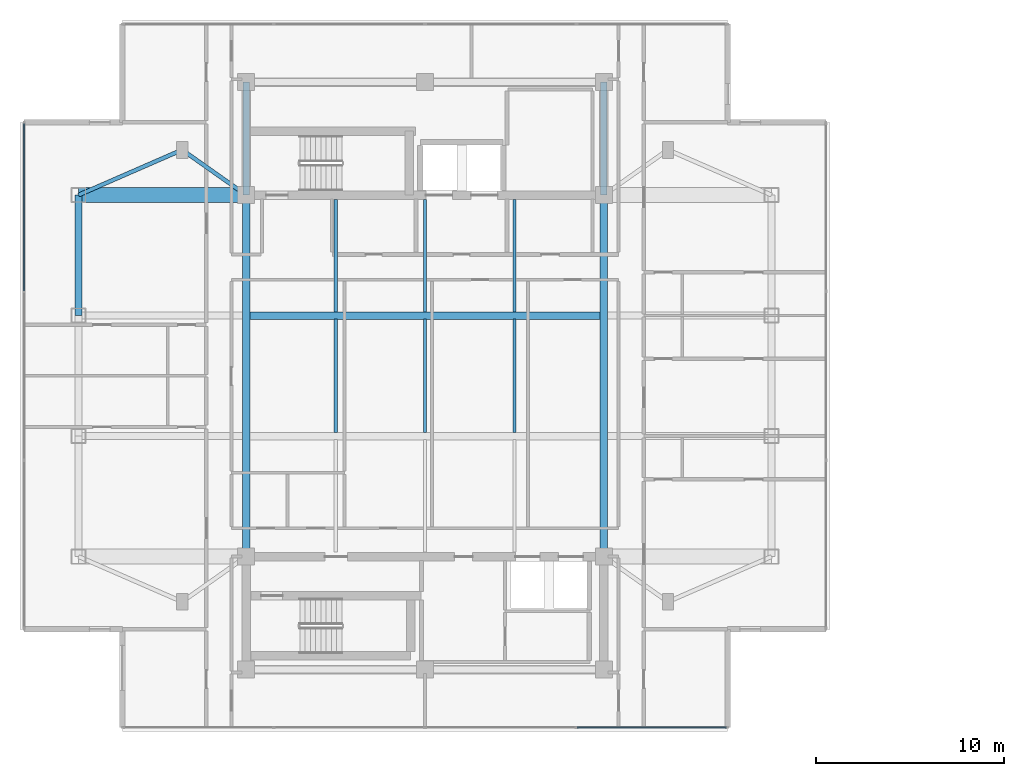
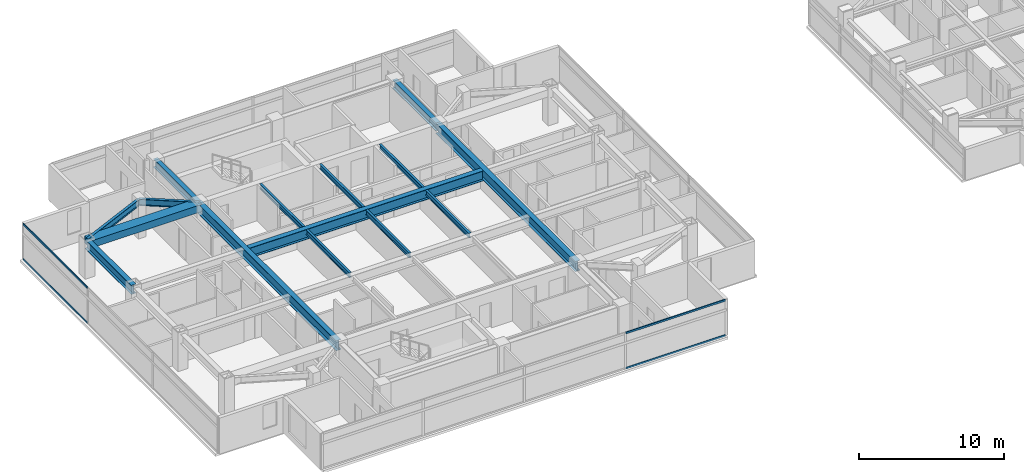
# One storey, part 3 of 21: 15 beams, 4 members, 2 elements without a shape of their own.
"""IFC4 building model written with IfcOpenShell, lengths in metres."""

import ifcopenshell
import ifcopenshell.guid

model = None  # the IFC model being written
_history = None  # IfcOwnerHistory: only IFC2X3 demands one
_inside = {}  # id of a spatial element -> (the spatial element, [elements in it])
_under = {}  # id of a project, library or spatial element -> (it, [spatial elements below it])
_declared = {}  # id of a project -> (the project, [libraries it declares])
_typed = {}  # id of a type object -> (the type object, [elements of that type])
_made_of = {}  # id of a material, layer set ... -> (it, [elements and type objects made of it])


def new_model(schema):
    """Start an empty IFC model of exactly this schema.

    Asked for "IFC4X3", IfcOpenShell would pick the latest addendum, in which some entities
    have other attributes; the version numbers below select the first issue.
    IFC2X3 requires an IfcOwnerHistory on every rooted entity: one is made here for all.
    """
    global model, _history
    if schema == "IFC4X3":
        model = ifcopenshell.file(schema_version=(4, 3, 0, 0))
    else:
        model = ifcopenshell.file(schema=schema)
    _inside.clear()
    _under.clear()
    _declared.clear()
    _typed.clear()
    _made_of.clear()
    _history = None
    if model.schema == "IFC2X3":
        org = make("IfcOrganization", Name="unknown")
        user = make(
            "IfcPersonAndOrganization",
            ThePerson=make("IfcPerson", FamilyName="unknown"),
            TheOrganization=org,
        )
        app = make(
            "IfcApplication",
            ApplicationDeveloper=org,
            Version="unknown",
            ApplicationFullName="unknown",
            ApplicationIdentifier="unknown",
        )
        _history = make(
            "IfcOwnerHistory",
            OwningUser=user,
            OwningApplication=app,
            ChangeAction="ADDED",
            CreationDate=0,
        )
    return model


def make(cls, **values):
    """One entity of the class cls with the attributes given. An attribute that is None is left unset."""
    return model.create_entity(
        cls, **{name: value for name, value in values.items() if value is not None}
    )


def rooted(cls, **values):
    """An entity with a GlobalId (a new one), such as an element, a storey or a relation."""
    return make(cls, GlobalId=ifcopenshell.guid.new(), OwnerHistory=_history, **values)


def si_unit(unit_type, name, prefix=None):
    """IfcSIUnit, for example si_unit("LENGTHUNIT", "METRE", prefix="MILLI")."""
    return make("IfcSIUnit", UnitType=unit_type, Prefix=prefix, Name=name)


def assignment(units):
    """IfcUnitAssignment: the units of a project."""
    return None if units is None else make("IfcUnitAssignment", Units=units)


def point(xyz):
    """IfcCartesianPoint."""
    return None if xyz is None else make("IfcCartesianPoint", Coordinates=xyz)


def direction(xyz):
    """IfcDirection."""
    return None if xyz is None else make("IfcDirection", DirectionRatios=xyz)


def frame(location, z_axis=None, x_axis=None):
    """IfcAxis2Placement3D, a coordinate frame: its origin and axes. An axis left out is left unset."""
    return make(
        "IfcAxis2Placement3D",
        Location=point(location),
        Axis=direction(z_axis),
        RefDirection=direction(x_axis),
    )


def frame_2d(location, x_axis=None):
    """IfcAxis2Placement2D, a coordinate frame in the plane: its origin and x axis."""
    return make(
        "IfcAxis2Placement2D", Location=point(location), RefDirection=direction(x_axis)
    )


def origin():
    """The frame at (0, 0, 0) with its axes left unset."""
    return frame((0.0, 0.0, 0.0))


def origin_2d():
    """The frame at (0, 0) in the plane with its x axis left unset."""
    return frame_2d((0.0, 0.0))


def place(relative_to, where):
    """IfcLocalPlacement: puts the frame where relative to a parent placement (None: the world)."""
    return make(
        "IfcLocalPlacement", PlacementRelTo=relative_to, RelativePlacement=where
    )


def context(
    kind, dimensions, precision=None, world=None, true_north=None, identifier=None
):
    """IfcGeometricRepresentationContext, for example the 3D "Model" context."""
    return make(
        "IfcGeometricRepresentationContext",
        ContextIdentifier=identifier,
        ContextType=kind,
        CoordinateSpaceDimension=dimensions,
        Precision=precision,
        WorldCoordinateSystem=world,
        TrueNorth=true_north,
    )


def subcontext(parent, identifier, kind, view, scale=None):
    """IfcGeometricRepresentationSubContext, for example "Body" below "Model"."""
    return make(
        "IfcGeometricRepresentationSubContext",
        ContextIdentifier=identifier,
        ContextType=kind,
        ParentContext=parent,
        TargetScale=scale,
        TargetView=view,
    )


def project(units=None, contexts=None):
    """IfcProject with its units and contexts."""
    return rooted(
        "IfcProject",
        Name="project",
        RepresentationContexts=contexts,
        UnitsInContext=assignment(units),
    )


def spatial(cls, under=None, at=None, **own):
    """A site, building, storey or space (cls), placed at a placement, below another one or the project."""
    s = rooted(cls, ObjectPlacement=at, **own)
    if under is not None:
        _under.setdefault(under.id(), (under, []))[1].append(s)
    return s


def profile(cls, at=None, kind="AREA", **sizes):
    """A parametric profile (cls). Its sizes go by their IFC names, for example OverallWidth=200.0."""
    return make(cls, ProfileType=kind, Position=at, **sizes)


def rectangle(**sizes):
    """IfcRectangleProfileDef."""
    return profile("IfcRectangleProfileDef", **sizes)


def i_section(**sizes):
    """IfcIShapeProfileDef."""
    return profile("IfcIShapeProfileDef", **sizes)


def extrude(swept, where, along, depth):
    """IfcExtrudedAreaSolid: the profile swept, set in the frame where, extruded along a direction by depth."""
    return make(
        "IfcExtrudedAreaSolid",
        SweptArea=swept,
        Position=where,
        ExtrudedDirection=direction(along),
        Depth=depth,
    )


def shape(context_of_items, identifier, shape_type, items):
    """IfcShapeRepresentation: the items that make up one representation, for example the "Body"."""
    return make(
        "IfcShapeRepresentation",
        ContextOfItems=context_of_items,
        RepresentationIdentifier=identifier,
        RepresentationType=shape_type,
        Items=items,
    )


def material(Name=None, Category=None):
    """IfcMaterial."""
    return make("IfcMaterial", Name=Name, Category=Category)


def material_profile(
    of_material, cross_section, Name=None, Category=None, Priority=None
):
    """IfcMaterialProfile: a cross section and its material."""
    return make(
        "IfcMaterialProfile",
        Name=Name,
        Material=of_material,
        Profile=cross_section,
        Priority=Priority,
        Category=Category,
    )


def profile_set(profiles, Name=None, composite=None):
    """IfcMaterialProfileSet."""
    return make(
        "IfcMaterialProfileSet",
        Name=Name,
        MaterialProfiles=profiles,
        CompositeProfile=composite,
    )


def made_of(thing, what):
    """Note that an element or type object is made of a material, layer set ...; save() writes the relation."""
    if what is not None:
        _made_of.setdefault(what.id(), (what, []))[1].append(thing)
    return thing


def type_object(cls, material=None, **own):
    """A type object (cls), such as IfcWallType, which elements share."""
    return made_of(rooted(cls, **own), material)


def element(
    cls,
    number,
    at=None,
    inside=None,
    cuts=None,
    type_object=None,
    material=None,
    context=None,
    identifier="Body",
    shape_type=None,
    held_by="IfcProductDefinitionShape",
    body=None,
    shapes=None,
    **own,
):
    """One element of the class cls, such as IfcWall. Its Tag is "e" and its number.

    at: its placement. inside: the storey or other place that contains it. cuts: it is an
    opening in that element (IfcRelVoidsElement). A single representation is given by context,
    identifier, shape_type and body (its items); several are given by shapes. held_by: the class
    of the entity that holds the representations. save() writes the other relations.
    """
    e = rooted(cls, Tag="e%d" % number, ObjectPlacement=at, **own)
    if body is not None:
        shapes = [shape(context, identifier, shape_type, body)]
    if shapes is not None:
        e.Representation = make(held_by, Representations=shapes)
    if inside is not None:
        _inside.setdefault(inside.id(), (inside, []))[1].append(e)
    if cuts is not None:
        rooted(
            "IfcRelVoidsElement", RelatingBuildingElement=cuts, RelatedOpeningElement=e
        )
    if type_object is not None:
        _typed.setdefault(type_object.id(), (type_object, []))[1].append(e)
    return made_of(e, material)


def aggregate(whole, parts):
    """IfcRelAggregates: a whole, such as a stair, and the parts it consists of."""
    return rooted("IfcRelAggregates", RelatingObject=whole, RelatedObjects=parts)


def save(model, path):
    """Write the relations noted so far, then the file.

    IfcRelAggregates (storeys below a building ...), IfcRelContainedInSpatialStructure (elements
    in a storey), IfcRelDefinesByType, IfcRelAssociatesMaterial and IfcRelDeclares: one each for
    every whole, place, type object, material and project.
    """
    for whole, parts in _under.values():
        aggregate(whole, parts)
    for where, things in _inside.values():
        rooted(
            "IfcRelContainedInSpatialStructure",
            RelatedElements=things,
            RelatingStructure=where,
        )
    for kind, things in _typed.values():
        rooted("IfcRelDefinesByType", RelatedObjects=things, RelatingType=kind)
    for what, things in _made_of.values():
        rooted("IfcRelAssociatesMaterial", RelatedObjects=things, RelatingMaterial=what)
    for by, libraries in _declared.values():
        rooted("IfcRelDeclares", RelatingContext=by, RelatedDefinitions=libraries)
    model.write(path)


model = new_model("IFC4")

# Units and contexts
model_context = context("Model", 3, precision=1e-05, world=origin(), true_north=direction((0.0, 1.0)))
body_context = subcontext(model_context, "Body", "Model", "MODEL_VIEW")
ifc_project = project(units=[si_unit("LENGTHUNIT", "METRE"), si_unit("AREAUNIT", "SQUARE_METRE"), si_unit("VOLUMEUNIT", "CUBIC_METRE"), si_unit("PLANEANGLEUNIT", "RADIAN"), si_unit("MASSUNIT", "GRAM", prefix="KILO")], contexts=[model_context])

# Site, building, storey
site_placement = place(None, origin())
site = spatial("IfcSite", under=ifc_project, at=site_placement, CompositionType="ELEMENT")
building_placement = place(site_placement, origin())
building = spatial("IfcBuilding", under=site, at=building_placement, Name="Mirazonda Arch Towers", CompositionType="ELEMENT")
storey_placement = place(building_placement, frame((0.0, 0.0, 206.39990234375)))
storey = spatial("IfcBuildingStorey", under=building, at=storey_placement, Name="L59", CompositionType="ELEMENT", Elevation=206.39990234375)

# Beams
ifc_material_1 = material(Name="Steel ASTM A992 Grade 50", Category="steel")
ifc_material_profile_1 = material_profile(ifc_material_1, i_section(OverallWidth=0.381103515625, OverallDepth=0.77294921875, WebThickness=0.0166015625, FlangeThickness=0.027099609375, at=origin_2d()), Name="W30X173")
ifc_profile_set_1 = profile_set([ifc_material_profile_1], Name="Steel ASTM A992 Grade 50")
beam_type_1 = type_object("IfcBeamType", Name="BM-EXT-W30X173", PredefinedType="USERDEFINED", material=ifc_profile_set_1)
beam_1_placement = place(storey_placement, frame((2.10009765625, 31.199951171875, 2.66357421875), z_axis=(0.0, 1.0, 0.0), x_axis=(-1.0, 0.0, 0.0)))
element("IfcBeam", 1, at=beam_1_placement, inside=storey, type_object=beam_type_1, Name="L59 Floor Beam BM-T1-L59-NS-W-31", ObjectType="GIRDER", PredefinedType="USERDEFINED", context=body_context, shape_type="SweptSolid", body=[
    extrude(i_section(OverallWidth=0.381103515625, OverallDepth=0.77294921875, WebThickness=0.0166015625, FlangeThickness=0.027099609375, at=origin_2d()), origin(), (0.0, 0.0, 1.0), 6.400146484375),
])
ifc_material_profile_2 = material_profile(ifc_material_1, i_section(OverallWidth=0.180908203125, OverallDepth=0.4169921875, WebThickness=0.010986328125, FlangeThickness=0.018310546875, at=origin_2d()), Name="W16X57")
ifc_profile_set_2 = profile_set([ifc_material_profile_2], Name="Steel ASTM A992 Grade 50")
beam_type_2 = type_object("IfcBeamType", Name="BM-INT-W16X57", PredefinedType="JOIST", material=ifc_profile_set_2)
beam_2_placement = place(storey_placement, frame((15.75, 31.39599609375, 2.841552734375), z_axis=(0.0, 1.0, 0.0), x_axis=(-1.0, 0.0, 0.0)))
element("IfcBeam", 2, at=beam_2_placement, inside=storey, type_object=beam_type_2, Name="L59 Floor Beam BM-T1-L59-J-157-31", PredefinedType="JOIST", context=body_context, shape_type="SweptSolid", body=[
    extrude(i_section(OverallWidth=0.180908203125, OverallDepth=0.4169921875, WebThickness=0.010986328125, FlangeThickness=0.018310546875, at=origin_2d()), origin(), (0.0, 0.0, 1.0), 5.964111328125),
])
beam_3_placement = place(storey_placement, frame((15.75, 24.99609375, 2.841552734375), z_axis=(0.0, 1.0, 0.0), x_axis=(-1.0, 0.0, 0.0)))
element("IfcBeam", 3, at=beam_3_placement, inside=storey, type_object=beam_type_2, Name="L59 Floor Beam BM-T1-L59-J-157-24", PredefinedType="JOIST", context=body_context, shape_type="SweptSolid", body=[
    extrude(i_section(OverallWidth=0.180908203125, OverallDepth=0.4169921875, WebThickness=0.010986328125, FlangeThickness=0.018310546875, at=origin_2d()), origin(), (0.0, 0.0, 1.0), 6.0078125),
])
beam_4_placement = place(storey_placement, frame((20.5, 31.39599609375, 2.841552734375), z_axis=(0.0, 1.0, 0.0), x_axis=(-1.0, 0.0, 0.0)))
element("IfcBeam", 4, at=beam_4_placement, inside=storey, type_object=beam_type_2, Name="L59 Floor Beam BM-T1-L59-J-205-31", PredefinedType="JOIST", context=body_context, shape_type="SweptSolid", body=[
    extrude(i_section(OverallWidth=0.180908203125, OverallDepth=0.4169921875, WebThickness=0.010986328125, FlangeThickness=0.018310546875, at=origin_2d()), origin(), (0.0, 0.0, 1.0), 5.964111328125),
])
beam_5_placement = place(storey_placement, frame((20.5, 24.99609375, 2.841552734375), z_axis=(0.0, 1.0, 0.0), x_axis=(-1.0, 0.0, 0.0)))
element("IfcBeam", 5, at=beam_5_placement, inside=storey, type_object=beam_type_2, Name="L59 Floor Beam BM-T1-L59-J-205-24", PredefinedType="JOIST", context=body_context, shape_type="SweptSolid", body=[
    extrude(i_section(OverallWidth=0.180908203125, OverallDepth=0.4169921875, WebThickness=0.010986328125, FlangeThickness=0.018310546875, at=origin_2d()), origin(), (0.0, 0.0, 1.0), 6.0078125),
])
beam_6_placement = place(storey_placement, frame((25.25, 31.39599609375, 2.841552734375), z_axis=(0.0, 1.0, 0.0), x_axis=(-1.0, 0.0, 0.0)))
element("IfcBeam", 6, at=beam_6_placement, inside=storey, type_object=beam_type_2, Name="L59 Floor Beam BM-T1-L59-J-252-31", PredefinedType="JOIST", context=body_context, shape_type="SweptSolid", body=[
    extrude(i_section(OverallWidth=0.180908203125, OverallDepth=0.4169921875, WebThickness=0.010986328125, FlangeThickness=0.018310546875, at=origin_2d()), origin(), (0.0, 0.0, 1.0), 5.964111328125),
])
beam_7_placement = place(storey_placement, frame((25.25, 24.99609375, 2.841552734375), z_axis=(0.0, 1.0, 0.0), x_axis=(-1.0, 0.0, 0.0)))
element("IfcBeam", 7, at=beam_7_placement, inside=storey, type_object=beam_type_2, Name="L59 Floor Beam BM-T1-L59-J-252-24", PredefinedType="JOIST", context=body_context, shape_type="SweptSolid", body=[
    extrude(i_section(OverallWidth=0.180908203125, OverallDepth=0.4169921875, WebThickness=0.010986328125, FlangeThickness=0.018310546875, at=origin_2d()), origin(), (0.0, 0.0, 1.0), 6.0078125),
])
ifc_material_profile_3 = material_profile(ifc_material_1, i_section(OverallWidth=0.214111328125, OverallDepth=0.549072265625, WebThickness=0.0146484375, FlangeThickness=0.023681640625, at=origin_2d()), Name="W21X93")
ifc_profile_set_3 = profile_set([ifc_material_profile_3], Name="Steel ASTM A992 Grade 50")
beam_type_3 = type_object("IfcBeamType", Name="BM-INT-W21X93", PredefinedType="BEAM", material=ifc_profile_set_3)
beam_8_placement = place(storey_placement, frame((7.60009765625, 40.0, 2.775634765625), z_axis=(0.816971114901, -0.576678591087, 0.0), x_axis=(0.576678591087, 0.816971114901, 0.0)))
element("IfcBeam", 8, at=beam_8_placement, inside=storey, type_object=beam_type_3, Name="L59 Floor Beam BM-T1-L59-PL-NW1", PredefinedType="BEAM", context=body_context, shape_type="SweptSolid", body=[
    extrude(i_section(OverallWidth=0.214111328125, OverallDepth=0.549072265625, WebThickness=0.0146484375, FlangeThickness=0.023681640625, at=origin_2d()), origin(), (0.0, 0.0, 1.0), 4.16162109375),
])
beam_9_placement = place(storey_placement, frame((7.60009765625, 40.0, 2.775634765625), z_axis=(-0.916545343703, -0.399930785183, 0.0), x_axis=(0.399930785183, -0.916545343703, 0.0)))
element("IfcBeam", 9, at=beam_9_placement, inside=storey, type_object=beam_type_3, Name="L59 Floor Beam BM-T1-L59-PL-NW2", PredefinedType="BEAM", context=body_context, shape_type="SweptSolid", body=[
    extrude(i_section(OverallWidth=0.214111328125, OverallDepth=0.549072265625, WebThickness=0.0146484375, FlangeThickness=0.023681640625, at=origin_2d()), origin(), (0.0, 0.0, 1.0), 6.000732421875),
])
ifc_material_profile_4 = material_profile(ifc_material_1, i_section(OverallWidth=0.35498046875, OverallDepth=0.696044921875, WebThickness=0.015380859375, FlangeThickness=0.02490234375, at=origin_2d()), Name="W27X146")
ifc_profile_set_4 = profile_set([ifc_material_profile_4], Name="Steel ASTM A992 Grade 50")
beam_type_4 = type_object("IfcBeamType", Name="BM-INT-W27X146", PredefinedType="BEAM", material=ifc_profile_set_4)
for number, where, z_axis, x_axis, name in (
    (10, (11.0, 37.60009765625, 2.7021484375), (0.0, 1.0, 0.0), (-1.0, 0.0, 0.0), "L59 Floor Beam BM-T1-L59-CNW"),
    (11, (30.0, 37.60009765625, 2.7021484375), (0.0, 1.0, 0.0), (-1.0, 0.0, 0.0), "L59 Floor Beam BM-T1-L59-CNE"),
):
    element("IfcBeam", number, at=place(storey_placement, frame(where, z_axis=z_axis, x_axis=x_axis)), inside=storey, type_object=beam_type_4, Name=name, PredefinedType="BEAM", context=body_context, shape_type="SweptSolid", body=[
        extrude(i_section(OverallWidth=0.35498046875, OverallDepth=0.696044921875, WebThickness=0.015380859375, FlangeThickness=0.02490234375, at=origin_2d()), origin(), (0.0, 0.0, 1.0), 6.0),
    ])
ifc_material_profile_5 = material_profile(ifc_material_1, i_section(OverallWidth=0.39990234375, OverallDepth=0.85595703125, WebThickness=0.018310546875, FlangeThickness=0.029296875, at=origin_2d()), Name="W33X201")
ifc_profile_set_5 = profile_set([ifc_material_profile_5], Name="Steel ASTM A992 Grade 50")
beam_type_5 = type_object("IfcBeamType", Name="BM-INT-W33X201", PredefinedType="USERDEFINED", material=ifc_profile_set_5)
beam_10_placement = place(storey_placement, frame((11.199951171875, 31.199951171875, 2.6220703125), z_axis=(1.0, 0.0, 0.0), x_axis=(0.0, 1.0, 0.0)))
element("IfcBeam", 12, at=beam_10_placement, inside=storey, type_object=beam_type_5, Name="L59 Floor Beam BM-T1-L59-GC3", ObjectType="GIRDER", PredefinedType="USERDEFINED", context=body_context, shape_type="SweptSolid", body=[
    extrude(i_section(OverallWidth=0.39990234375, OverallDepth=0.85595703125, WebThickness=0.018310546875, FlangeThickness=0.029296875, at=origin_2d()), origin(), (0.0, 0.0, 1.0), 18.60009765625),
])
for number, where, z_axis, x_axis, name in (
    (13, (11.0, 18.39990234375, 2.6220703125), (0.0, 1.0, 0.0), (-1.0, 0.0, 0.0), "L59 Floor Beam BM-T1-L59-NS-CW-FULL"),
    (14, (30.0, 18.39990234375, 2.6220703125), (0.0, 1.0, 0.0), (-1.0, 0.0, 0.0), "L59 Floor Beam BM-T1-L59-NS-CE-FULL"),
):
    element("IfcBeam", number, at=place(storey_placement, frame(where, z_axis=z_axis, x_axis=x_axis)), inside=storey, type_object=beam_type_5, Name=name, ObjectType="GIRDER", PredefinedType="USERDEFINED", context=body_context, shape_type="SweptSolid", body=[
        extrude(i_section(OverallWidth=0.39990234375, OverallDepth=0.85595703125, WebThickness=0.018310546875, FlangeThickness=0.029296875, at=origin_2d()), origin(), (0.0, 0.0, 1.0), 19.2001953125),
    ])
ifc_material_2 = material(Name="Concrete C60/75", Category="concrete")
ifc_material_profile_6 = material_profile(ifc_material_2, rectangle(XDim=0.800048828125, YDim=0.60009765625, at=origin_2d()), Name="RCCB800x600")
ifc_profile_set_6 = profile_set([ifc_material_profile_6], Name="Concrete C60/75")
beam_type_6 = type_object("IfcBeamType", Name="CB-INT-RCCB800x600", PredefinedType="SPANDREL", material=ifc_profile_set_6)
beam_11_placement = place(storey_placement, frame((2.10009765625, 37.60009765625, 2.75), z_axis=(1.0, 0.0, 0.0), x_axis=(0.0, 1.0, 0.0)))
element("IfcBeam", 15, at=beam_11_placement, inside=storey, type_object=beam_type_6, Name="L59 Floor Beam CBC-T1-L59-NW", PredefinedType="SPANDREL", context=body_context, shape_type="SweptSolid", body=[
    extrude(rectangle(XDim=0.800048828125, YDim=0.60009765625, at=origin_2d()), origin(), (0.0, 0.0, 1.0), 8.89990234375),
])

# Curtain wall, members
ifc_material_3 = material(Name="Anodised Aluminium and Low-E Glass", Category="aluminium")
curtain_wall_type = type_object("IfcCurtainWallType", Name="CW-RES-UNIT", PredefinedType="NOTDEFINED", material=ifc_material_3)
curtain_wall_1_placement = place(storey_placement, origin())
curtain_wall_1 = element("IfcCurtainWall", 16, at=curtain_wall_1_placement, inside=storey, type_object=curtain_wall_type, Name="L59 T1 S Facade CW-L59-T1-S", PredefinedType="NOTDEFINED")
ifc_material_4 = material(Name="Anodised Aluminium Alloy", Category="aluminium")
ifc_material_profile_7 = material_profile(ifc_material_4, rectangle(XDim=0.074951171875, YDim=0.155029296875, at=origin_2d()), Name="ALU-TRAN-75x155")
ifc_profile_set_7 = profile_set([ifc_material_profile_7], Name="Anodised Aluminium Alloy")
member_type = type_object("IfcMemberType", Name="TRAN-CW-RES-UNIT", PredefinedType="USERDEFINED", material=ifc_profile_set_7)
member_1_placement = place(storey_placement, frame((36.5, 9.323974609375, 0.03759765625), z_axis=(-1.0, 0.0, 0.0), x_axis=(0.0, -1.0, 0.0)))
member_1 = element("IfcMember", 17, at=member_1_placement, type_object=member_type, Name="CW-104 transom 1.1", ObjectType="TRANSOM", PredefinedType="USERDEFINED", context=body_context, shape_type="SweptSolid", body=[
    extrude(rectangle(XDim=0.074951171875, YDim=0.155029296875, at=origin_2d()), origin(), (0.0, 0.0, 1.0), 7.925048828125),
])
member_2_placement = place(storey_placement, frame((36.5, 9.323974609375, 2.99267578125), z_axis=(-1.0, 0.0, 0.0), x_axis=(0.0, -1.0, 0.0)))
member_2 = element("IfcMember", 18, at=member_2_placement, type_object=member_type, Name="CW-104 transom 1.2", ObjectType="TRANSOM", PredefinedType="USERDEFINED", context=body_context, shape_type="SweptSolid", body=[
    extrude(rectangle(XDim=0.074951171875, YDim=0.155029296875, at=origin_2d()), origin(), (0.0, 0.0, 1.0), 7.925048828125),
])
aggregate(curtain_wall_1, [member_1, member_2])

curtain_wall_2_placement = place(storey_placement, origin())
curtain_wall_2 = element("IfcCurtainWall", 19, at=curtain_wall_2_placement, inside=storey, type_object=curtain_wall_type, Name="L59 T1 W Facade CW-L59-T1-W", PredefinedType="NOTDEFINED")
member_3_placement = place(storey_placement, frame((-0.7900390625, 41.385986328125, 0.03759765625), z_axis=(0.0, -1.0, 0.0), x_axis=(1.0, 0.0, 0.0)))
member_3 = element("IfcMember", 20, at=member_3_placement, type_object=member_type, Name="CW-104 transom 1.1", ObjectType="TRANSOM", PredefinedType="USERDEFINED", context=body_context, shape_type="SweptSolid", body=[
    extrude(rectangle(XDim=0.074951171875, YDim=0.155029296875, at=origin_2d()), origin(), (0.0, 0.0, 1.0), 8.861572265625),
])
member_4_placement = place(storey_placement, frame((-0.7900390625, 41.385986328125, 2.99267578125), z_axis=(0.0, -1.0, 0.0), x_axis=(1.0, 0.0, 0.0)))
member_4 = element("IfcMember", 21, at=member_4_placement, type_object=member_type, Name="CW-104 transom 1.2", ObjectType="TRANSOM", PredefinedType="USERDEFINED", context=body_context, shape_type="SweptSolid", body=[
    extrude(rectangle(XDim=0.074951171875, YDim=0.155029296875, at=origin_2d()), origin(), (0.0, 0.0, 1.0), 8.861572265625),
])
aggregate(curtain_wall_2, [member_3, member_4])

save(model, "model.ifc")
